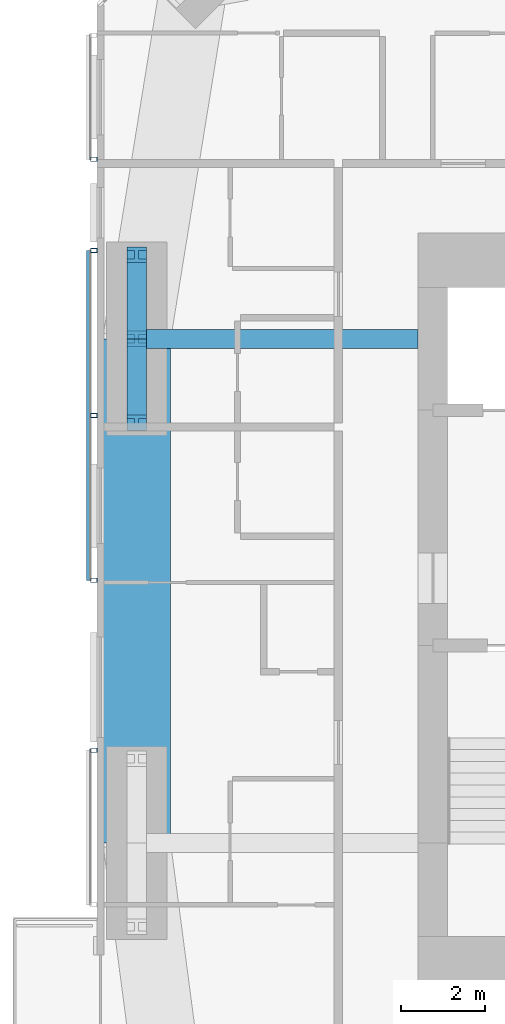
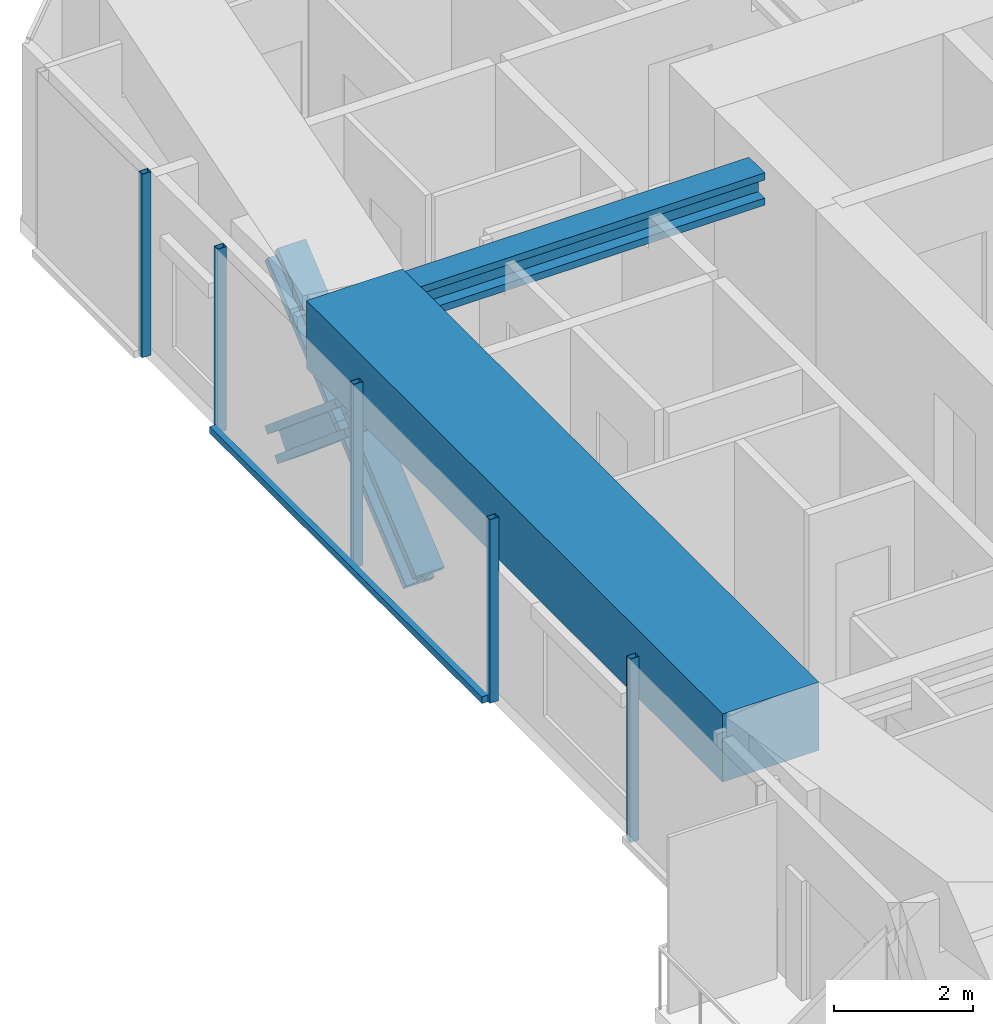
# One storey, part 5 of 23: 10 members, 2 beams, 3 elements without a shape of their own.
"""IFC4 building model written with IfcOpenShell, lengths in metres."""

from ifc_helpers import new_model, si_unit, direction, frame, origin, origin_2d, place, context, subcontext, project, spatial, rectangle, hollow_rectangle, i_section, extrude, material, material_profile, profile_set, type_object, element, aggregate, save


model = new_model("IFC4")

# Units and contexts
model_context = context("Model", 3, precision=1e-05, world=origin(), true_north=direction((0.0, 1.0)))
body_context = subcontext(model_context, "Body", "Model", "MODEL_VIEW")
ifc_project = project(units=[si_unit("LENGTHUNIT", "METRE"), si_unit("AREAUNIT", "SQUARE_METRE"), si_unit("VOLUMEUNIT", "CUBIC_METRE"), si_unit("PLANEANGLEUNIT", "RADIAN"), si_unit("MASSUNIT", "GRAM", prefix="KILO")], contexts=[model_context])

# Site, building, storey
site_placement = place(None, origin())
site = spatial("IfcSite", under=ifc_project, at=site_placement, CompositionType="ELEMENT")
building_placement = place(site_placement, origin())
building = spatial("IfcBuilding", under=site, at=building_placement, Name="Jalousie Tower", CompositionType="ELEMENT")
storey_placement = place(building_placement, frame((0.0, 0.0, 171.10009765625)))
storey = spatial("IfcBuildingStorey", under=building, at=storey_placement, Name="L46", CompositionType="ELEMENT", Elevation=171.10009765625)

# Beam
ifc_material_1 = material(Name="Steel ASTM A992 Grade 50", Category="steel")
ifc_material_profile_1 = material_profile(ifc_material_1, i_section(OverallWidth=0.45458984375, OverallDepth=0.569091796875, WebThickness=0.077880859375, FlangeThickness=0.124755859375, at=origin_2d()), Name="W14X730")
ifc_profile_set_1 = profile_set([ifc_material_profile_1], Name="Steel ASTM A992 Grade 50")
beam_type_1 = type_object("IfcBeamType", Name="LEAN COLLECTOR W14X730", PredefinedType="BEAM", material=ifc_profile_set_1)
beam_1_placement = place(storey_placement, frame((12.949951171875, 25.0, 2.825439453125), z_axis=(1.0, 0.0, 0.0), x_axis=(0.0, 1.0, 0.0)))
element("IfcBeam", 1, at=beam_1_placement, inside=storey, type_object=beam_type_1, Name="Lean collector under L47", PredefinedType="BEAM", context=body_context, shape_type="SweptSolid", body=[
    extrude(i_section(OverallWidth=0.45458984375, OverallDepth=0.569091796875, WebThickness=0.077880859375, FlangeThickness=0.124755859375, at=origin_2d()), origin(), (0.0, 0.0, 1.0), 6.699951171875),
])

# Members
ifc_material_2 = material(Name="Steel ASTM A992 Grade 50", Category="steel")
ifc_material_profile_2 = material_profile(ifc_material_2, i_section(OverallWidth=0.472412109375, OverallDepth=0.5791015625, WebThickness=0.094970703125, FlangeThickness=0.1298828125, at=origin_2d()), Name="W14X808")
ifc_profile_set_2 = profile_set([ifc_material_profile_2], Name="Steel ASTM A992 Grade 50")
member_type_1 = type_object("IfcMemberType", Name="PERIMETER BRACE W14X808", PredefinedType="BRACE", material=ifc_profile_set_2)
for number, where, z_axis, x_axis, name in (
    (2, (12.949951171875, 23.0, -0.60009765625), (0.0, 0.766638753323, 0.642078672674), (-1.0, 0.0, 0.0), "Perimeter brace 13 L46 part 1"),
    (3, (12.949951171875, 25.0, 1.074951171875), (0.0, 0.766638753323, 0.642078672674), (-1.0, 0.0, 0.0), "Perimeter brace 13 L46 part 2"),
    (4, (12.949951171875, 27.0, -0.60009765625), (0.0, -0.766638753323, 0.642078672674), (1.0, 0.0, 0.0), "Perimeter brace 13 L46 part 3"),
    (5, (12.949951171875, 25.0, 1.074951171875), (0.0, -0.766638753323, 0.642078672674), (1.0, 0.0, 0.0), "Perimeter brace 13 L46 part 4"),
):
    element("IfcMember", number, at=place(storey_placement, frame(where, z_axis=z_axis, x_axis=x_axis)), inside=storey, type_object=member_type_1, Name=name, PredefinedType="BRACE", context=body_context, shape_type="SweptSolid", body=[
        extrude(i_section(OverallWidth=0.472412109375, OverallDepth=0.5791015625, WebThickness=0.094970703125, FlangeThickness=0.1298828125, at=origin_2d()), origin(), (0.0, 0.0, 1.0), 2.60888671875),
    ])

# Beam
ifc_material_3 = material(Name="Concrete f'c 40 MPa", Category="concrete")
ifc_material_profile_3 = material_profile(ifc_material_3, rectangle(XDim=1.60009765625, YDim=1.199951171875, at=origin_2d()), Name="RC 1600x1200")
ifc_profile_set_3 = profile_set([ifc_material_profile_3], Name="Concrete f'c 40 MPa")
beam_type_2 = type_object("IfcBeamType", Name="RC BEAM 1600x1200", PredefinedType="BEAM", material=ifc_profile_set_3)
beam_2_placement = place(storey_placement, frame((12.949951171875, 25.0, 2.75), z_axis=(0.0, -1.0, 0.0), x_axis=(1.0, 0.0, 0.0)))
element("IfcBeam", 6, at=beam_2_placement, inside=storey, type_object=beam_type_2, Name="Edge band beam 13-14 under L47", PredefinedType="BEAM", context=body_context, shape_type="SweptSolid", body=[
    extrude(rectangle(XDim=1.60009765625, YDim=1.199951171875, at=origin_2d()), origin(), (0.0, 0.0, 1.0), 12.0),
])

# Curtain wall, member
ifc_material_4 = material(Name="Perforated aluminium sheet", Category="aluminium")
curtain_wall_type = type_object("IfcCurtainWallType", Name="SOLAR SCREEN SS-1", PredefinedType="USERDEFINED", material=ifc_material_4)
curtain_wall_1_placement = place(storey_placement, origin())
curtain_wall_1 = element("IfcCurtainWall", 7, at=curtain_wall_1_placement, inside=storey, type_object=curtain_wall_type, Name="Solar screen L46", ObjectType="SOLAR SCREEN SS-1", PredefinedType="USERDEFINED")
ifc_material_5 = material(Name="Steel ASTM A500 Grade C", Category="steel")
ifc_material_profile_4 = material_profile(ifc_material_5, hollow_rectangle(XDim=0.1015625, YDim=0.15234375, WallThickness=0.00634765625, at=origin_2d()), Name="HSS6X4X1/4")
ifc_profile_set_4 = profile_set([ifc_material_profile_4], Name="Steel ASTM A500 Grade C")
member_type_2 = type_object("IfcMemberType", Name="SOLAR SCREEN SS-1 MULLION", PredefinedType="MULLION", material=ifc_profile_set_4)
member_1_placement = place(storey_placement, frame((11.9287109375, 29.27490234375, -0.1201171875), z_axis=(0.0, 0.0, 1.0), x_axis=(0.0, -1.0, 0.0)))
member_1 = element("IfcMember", 8, at=member_1_placement, type_object=member_type_2, Name="SS1 post 2", PredefinedType="MULLION", context=body_context, shape_type="SweptSolid", body=[
    extrude(hollow_rectangle(XDim=0.1015625, YDim=0.15234375, WallThickness=0.00634765625, at=origin_2d()), origin(), (0.0, 0.0, 1.0), 3.22998046875),
])
aggregate(curtain_wall_1, [member_1])

# Curtain wall, members
curtain_wall_2_placement = place(storey_placement, origin())
curtain_wall_2 = element("IfcCurtainWall", 9, at=curtain_wall_2_placement, inside=storey, type_object=curtain_wall_type, Name="Solar screen L46", ObjectType="SOLAR SCREEN SS-1", PredefinedType="USERDEFINED")
member_2_placement = place(storey_placement, frame((11.9287109375, 27.10009765625, -0.1201171875), z_axis=(0.0, 0.0, 1.0), x_axis=(0.0, -1.0, 0.0)))
member_2 = element("IfcMember", 10, at=member_2_placement, type_object=member_type_2, Name="SS1 post 1", PredefinedType="MULLION", context=body_context, shape_type="SweptSolid", body=[
    extrude(hollow_rectangle(XDim=0.1015625, YDim=0.15234375, WallThickness=0.00634765625, at=origin_2d()), origin(), (0.0, 0.0, 1.0), 3.22998046875),
])
member_3_placement = place(storey_placement, frame((11.9287109375, 23.175048828125, -0.1201171875), z_axis=(0.0, 0.0, 1.0), x_axis=(0.0, -1.0, 0.0)))
member_3 = element("IfcMember", 11, at=member_3_placement, type_object=member_type_2, Name="SS1 post 2", PredefinedType="MULLION", context=body_context, shape_type="SweptSolid", body=[
    extrude(hollow_rectangle(XDim=0.1015625, YDim=0.15234375, WallThickness=0.00634765625, at=origin_2d()), origin(), (0.0, 0.0, 1.0), 3.22998046875),
])
member_4_placement = place(storey_placement, frame((11.9287109375, 19.25, -0.1201171875), z_axis=(0.0, 0.0, 1.0), x_axis=(0.0, -1.0, 0.0)))
member_4 = element("IfcMember", 12, at=member_4_placement, type_object=member_type_2, Name="SS1 post 3", PredefinedType="MULLION", context=body_context, shape_type="SweptSolid", body=[
    extrude(hollow_rectangle(XDim=0.1015625, YDim=0.15234375, WallThickness=0.00634765625, at=origin_2d()), origin(), (0.0, 0.0, 1.0), 3.22998046875),
])

# Curtain wall, member
curtain_wall_3_placement = place(storey_placement, origin())
curtain_wall_3 = element("IfcCurtainWall", 13, at=curtain_wall_3_placement, inside=storey, type_object=curtain_wall_type, Name="Solar screen L46", ObjectType="SOLAR SCREEN SS-1", PredefinedType="USERDEFINED")
member_5_placement = place(storey_placement, frame((11.9287109375, 15.205078125, -0.1201171875), z_axis=(0.0, 0.0, 1.0), x_axis=(0.0, -1.0, 0.0)))
member_5 = element("IfcMember", 14, at=member_5_placement, type_object=member_type_2, Name="SS1 post 1", PredefinedType="MULLION", context=body_context, shape_type="SweptSolid", body=[
    extrude(hollow_rectangle(XDim=0.1015625, YDim=0.15234375, WallThickness=0.00634765625, at=origin_2d()), origin(), (0.0, 0.0, 1.0), 3.22998046875),
])
aggregate(curtain_wall_3, [member_5])

# Member
ifc_material_6 = material(Name="Extruded aluminium screen rail", Category="aluminium")
ifc_material_profile_5 = material_profile(ifc_material_6, rectangle(XDim=0.1015625, YDim=0.1201171875, at=origin_2d()), Name="RAIL 102x120")
ifc_profile_set_5 = profile_set([ifc_material_profile_5], Name="Extruded aluminium screen rail")
member_type_3 = type_object("IfcMemberType", Name="SOLAR SCREEN SS-1 TRANSOM", PredefinedType="USERDEFINED", material=ifc_profile_set_5)
member_6_placement = place(storey_placement, frame((11.8017578125, 27.10009765625, -0.06005859375), z_axis=(0.0, -1.0, 0.0), x_axis=(1.0, 0.0, 0.0)))
member_6 = element("IfcMember", 15, at=member_6_placement, type_object=member_type_3, Name="SS1 rail", ObjectType="TRANSOM", PredefinedType="USERDEFINED", context=body_context, shape_type="SweptSolid", body=[
    extrude(rectangle(XDim=0.1015625, YDim=0.1201171875, at=origin_2d()), origin(), (0.0, 0.0, 1.0), 7.85009765625),
])

aggregate(curtain_wall_2, [member_2, member_3, member_4, member_6])

save(model, "model.ifc")
